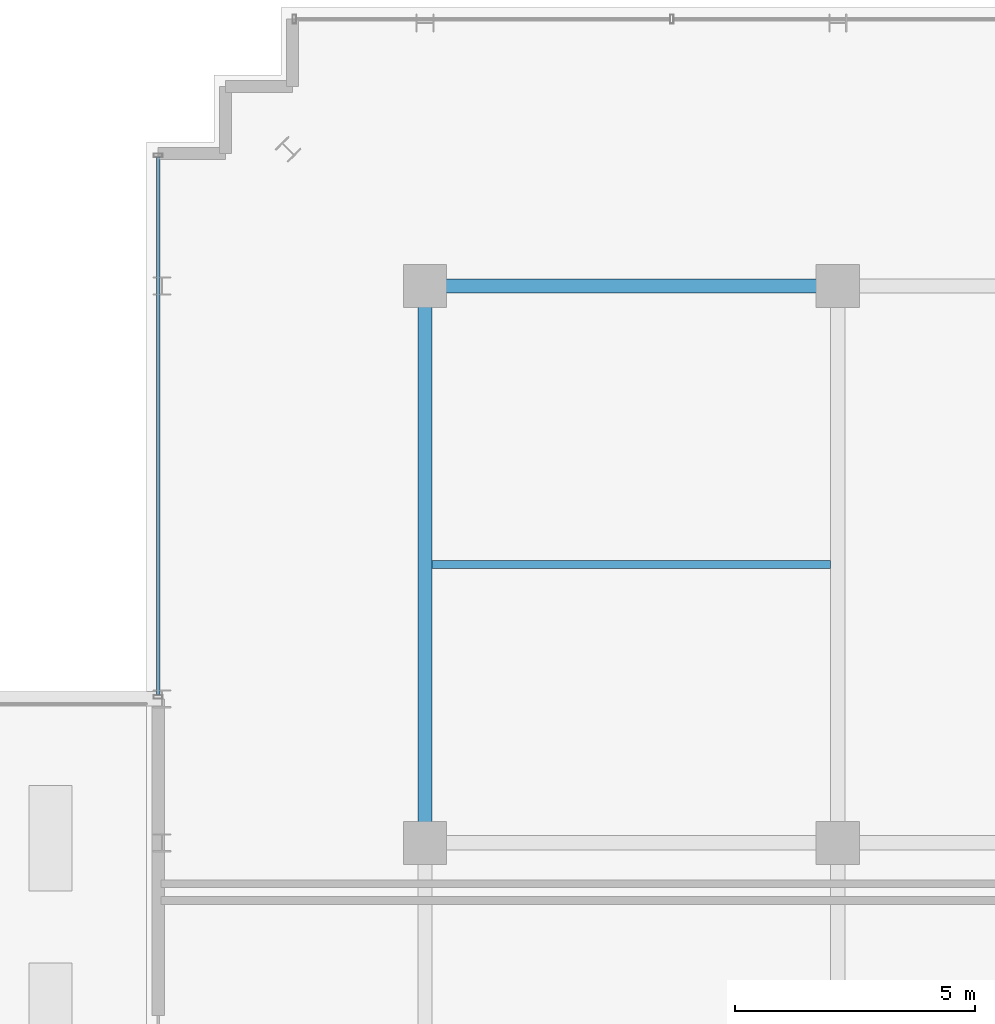
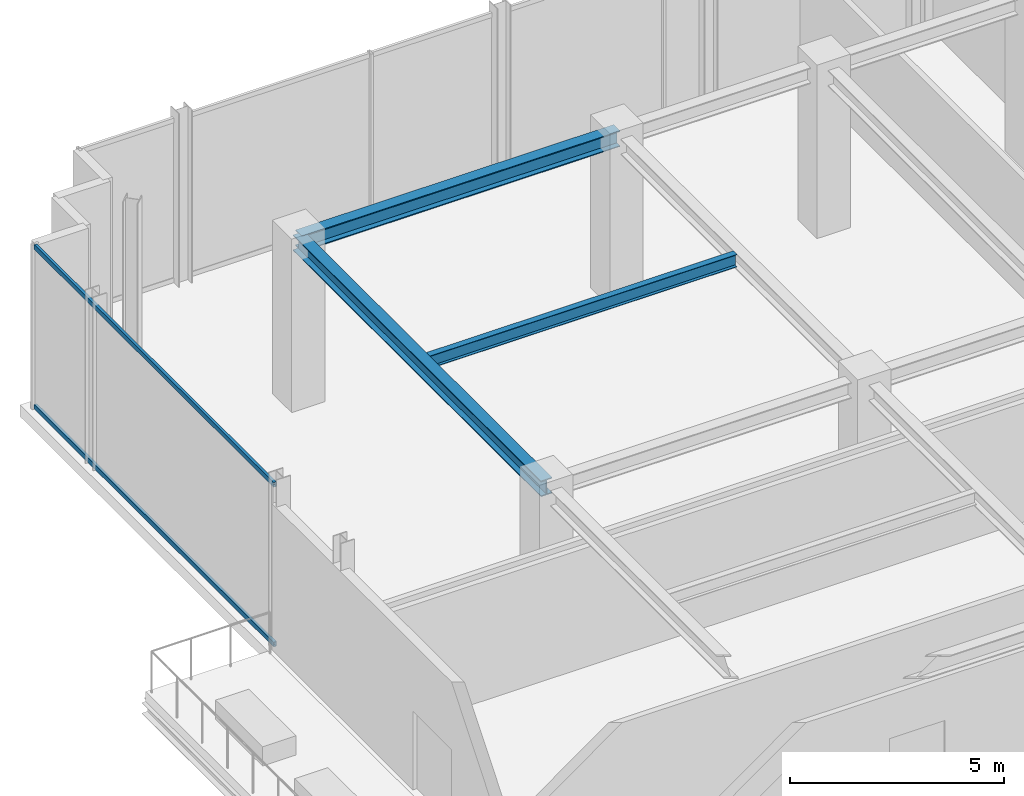
# One storey, part 16 of 28: 3 beams, 2 members, 1 element without a shape of its own.
"""IFC4 building model written with IfcOpenShell, lengths in metres."""

from ifc_helpers import new_model, si_unit, direction, frame, origin, origin_2d, place, context, subcontext, project, spatial, hollow_rectangle, i_section, extrude, source, transform, mapped, material, material_profile, profile_set, type_object, element, aggregate, save


model = new_model("IFC4")

# Units and contexts
model_context = context("Model", 3, precision=1e-05, world=origin(), true_north=direction((0.0, 1.0)))
body_context = subcontext(model_context, "Body", "Model", "MODEL_VIEW")
ifc_project = project(units=[si_unit("LENGTHUNIT", "METRE"), si_unit("AREAUNIT", "SQUARE_METRE"), si_unit("VOLUMEUNIT", "CUBIC_METRE"), si_unit("PLANEANGLEUNIT", "RADIAN"), si_unit("MASSUNIT", "GRAM", prefix="KILO")], contexts=[model_context])

# Site, building, storey
site_placement = place(None, origin())
site = spatial("IfcSite", under=ifc_project, at=site_placement, CompositionType="ELEMENT")
building_placement = place(site_placement, origin())
building = spatial("IfcBuilding", under=site, at=building_placement, Name="Nahalor Promenade Grand Hotel", CompositionType="ELEMENT")
storey_placement = place(building_placement, frame((0.0, 0.0, 352.050048828125)))
storey = spatial("IfcBuildingStorey", under=building, at=storey_placement, Name="L90", CompositionType="ELEMENT", Elevation=352.050048828125)

# Beams
ifc_material_1 = material(Name="Steel S355JR", Category="steel")
ifc_material_profile_1 = material_profile(ifc_material_1, i_section(OverallWidth=0.3, OverallDepth=0.45, WebThickness=0.014, FlangeThickness=0.026, at=origin_2d()), Name="HEB 450")
ifc_profile_set_1 = profile_set([ifc_material_profile_1], Name="Steel S355JR")
beam_type_1 = type_object("IfcBeamType", Name="Beam-Girder-HEB450", PredefinedType="BEAM", material=ifc_profile_set_1)
shared_shape_1 = source(origin(), body_context, "Body", "SweptSolid", [
    extrude(i_section(OverallWidth=0.3, OverallDepth=0.45, WebThickness=0.014, FlangeThickness=0.026, at=origin_2d()), origin(), (0.0, 0.0, 1.0), 8.60009765625),
])
beam_1_placement = place(storey_placement, frame((-17.0, 17.0, 4.474853515625), z_axis=(1.0, 0.0, 0.0), x_axis=(0.0, 1.0, 0.0)))
element("IfcBeam", 1, at=beam_1_placement, inside=storey, type_object=beam_type_1, Name="BM-L90-GX-3-0", PredefinedType="BEAM", context=body_context, shape_type="MappedRepresentation", body=[
    mapped(shared_shape_1, transform((0.0, 0.0, 0.0), scale=1.0)),
])
shared_shape_2 = source(origin(), body_context, "Body", "SweptSolid", [
    extrude(i_section(OverallWidth=0.3, OverallDepth=0.45, WebThickness=0.014, FlangeThickness=0.026, at=origin_2d()), origin(), (0.0, 0.0, 1.0), 11.60009765625),
])
beam_2_placement = place(storey_placement, frame((-17.0, 5.39990234375, 4.474853515625), z_axis=(0.0, 1.0, 0.0), x_axis=(-1.0, 0.0, 0.0)))
element("IfcBeam", 2, at=beam_2_placement, inside=storey, type_object=beam_type_1, Name="BM-L90-GY-0-2", PredefinedType="BEAM", context=body_context, shape_type="MappedRepresentation", body=[
    mapped(shared_shape_2, transform((0.0, 0.0, 0.0), scale=1.0)),
])
ifc_material_profile_2 = material_profile(ifc_material_1, i_section(OverallWidth=0.17, OverallDepth=0.36, WebThickness=0.008, FlangeThickness=0.0127, at=origin_2d()), Name="IPE 360")
ifc_profile_set_2 = profile_set([ifc_material_profile_2], Name="Steel S355JR")
beam_type_2 = type_object("IfcBeamType", Name="Beam-Joist-IPE360", PredefinedType="JOIST", material=ifc_profile_set_2)
shared_shape_3 = source(origin(), body_context, "Body", "SweptSolid", [
    extrude(i_section(OverallWidth=0.17, OverallDepth=0.36, WebThickness=0.008, FlangeThickness=0.0127, at=origin_2d()), origin(), (0.0, 0.0, 1.0), 8.300048828125),
])
beam_3_placement = place(storey_placement, frame((-16.85009765625, 11.199951171875, 4.52001953125), z_axis=(1.0, 0.0, 0.0), x_axis=(0.0, 1.0, 0.0)))
element("IfcBeam", 3, at=beam_3_placement, inside=storey, type_object=beam_type_2, Name="BM-L90-JSW-1-1", PredefinedType="JOIST", context=body_context, shape_type="MappedRepresentation", body=[
    mapped(shared_shape_3, transform((0.0, 0.0, 0.0), scale=1.0)),
])

# Curtain wall, members
ifc_material_2 = material(Name="Anodised Bronze Aluminium EN AW-6063 T6", Category="aluminium")
curtain_wall_type = type_object("IfcCurtainWallType", Name="CW6 Crown Botanical Conservatory Curtain Wall", PredefinedType="USERDEFINED", material=ifc_material_2)
curtain_wall_placement = place(storey_placement, origin())
curtain_wall = element("IfcCurtainWall", 4, at=curtain_wall_placement, inside=storey, type_object=curtain_wall_type, Name="L90 Curtain Wall CW-L90-W-3", ObjectType="UNITISED_CURTAIN_WALL", PredefinedType="USERDEFINED")
ifc_material_profile_3 = material_profile(ifc_material_2, hollow_rectangle(XDim=0.075, YDim=0.135, WallThickness=0.004, at=origin_2d()), Name="CWT 75x135x4")
ifc_profile_set_3 = profile_set([ifc_material_profile_3], Name="Anodised Bronze Aluminium EN AW-6063 T6")
member_type = type_object("IfcMemberType", Name="CWT6 Conservatory Transom 75x135", PredefinedType="USERDEFINED", material=ifc_profile_set_3)
shared_shape_4 = source(origin(), body_context, "Body", "SweptSolid", [
    extrude(hollow_rectangle(XDim=0.075, YDim=0.135, WallThickness=0.004, at=origin_2d()), origin(), (0.0, 0.0, 1.0), 11.2099609375),
])
member_1_placement = place(storey_placement, frame((-22.56005859375, 8.47509765625, 0.0673828125), z_axis=(0.0, 1.0, 0.0), x_axis=(-1.0, 0.0, 0.0)))
member_1 = element("IfcMember", 5, at=member_1_placement, type_object=member_type, Name="CW-L90-W-3 Transom 0-0", ObjectType="TRANSOM", PredefinedType="USERDEFINED", context=body_context, shape_type="MappedRepresentation", body=[
    mapped(shared_shape_4, transform((0.0, 0.0, 0.0), scale=1.0)),
])
member_2_placement = place(storey_placement, frame((-22.56005859375, 8.47509765625, 4.632568359375), z_axis=(0.0, 1.0, 0.0), x_axis=(-1.0, 0.0, 0.0)))
member_2 = element("IfcMember", 6, at=member_2_placement, type_object=member_type, Name="CW-L90-W-3 Transom 0-1", ObjectType="TRANSOM", PredefinedType="USERDEFINED", context=body_context, shape_type="MappedRepresentation", body=[
    mapped(shared_shape_4, transform((0.0, 0.0, 0.0), scale=1.0)),
])
aggregate(curtain_wall, [member_1, member_2])

save(model, "model.ifc")
